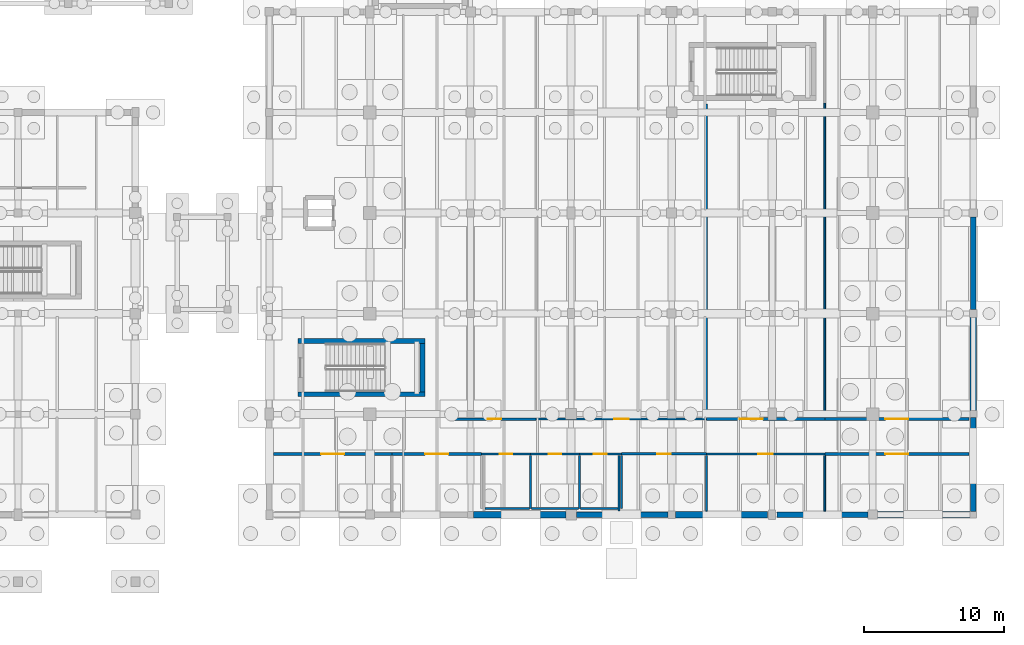
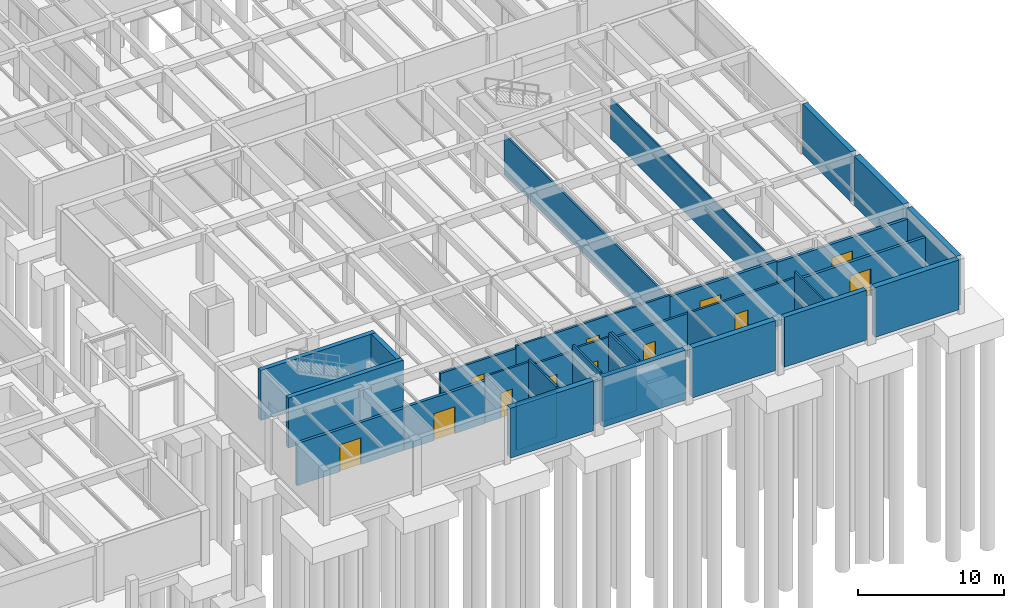
# One storey, part 47 of 63: 34 walls, 12 doors, 12 openings.
"""IFC4 building model written with IfcOpenShell, lengths in metres."""

import ifcopenshell
import ifcopenshell.guid

model = None  # the IFC model being written
_history = None  # IfcOwnerHistory: only IFC2X3 demands one
_inside = {}  # id of a spatial element -> (the spatial element, [elements in it])
_under = {}  # id of a project, library or spatial element -> (it, [spatial elements below it])
_declared = {}  # id of a project -> (the project, [libraries it declares])
_typed = {}  # id of a type object -> (the type object, [elements of that type])
_made_of = {}  # id of a material, layer set ... -> (it, [elements and type objects made of it])


def new_model(schema):
    """Start an empty IFC model of exactly this schema.

    Asked for "IFC4X3", IfcOpenShell would pick the latest addendum, in which some entities
    have other attributes; the version numbers below select the first issue.
    IFC2X3 requires an IfcOwnerHistory on every rooted entity: one is made here for all.
    """
    global model, _history
    if schema == "IFC4X3":
        model = ifcopenshell.file(schema_version=(4, 3, 0, 0))
    else:
        model = ifcopenshell.file(schema=schema)
    _inside.clear()
    _under.clear()
    _declared.clear()
    _typed.clear()
    _made_of.clear()
    _history = None
    if model.schema == "IFC2X3":
        org = make("IfcOrganization", Name="unknown")
        user = make(
            "IfcPersonAndOrganization",
            ThePerson=make("IfcPerson", FamilyName="unknown"),
            TheOrganization=org,
        )
        app = make(
            "IfcApplication",
            ApplicationDeveloper=org,
            Version="unknown",
            ApplicationFullName="unknown",
            ApplicationIdentifier="unknown",
        )
        _history = make(
            "IfcOwnerHistory",
            OwningUser=user,
            OwningApplication=app,
            ChangeAction="ADDED",
            CreationDate=0,
        )
    return model


def make(cls, **values):
    """One entity of the class cls with the attributes given. An attribute that is None is left unset."""
    return model.create_entity(
        cls, **{name: value for name, value in values.items() if value is not None}
    )


def rooted(cls, **values):
    """An entity with a GlobalId (a new one), such as an element, a storey or a relation."""
    return make(cls, GlobalId=ifcopenshell.guid.new(), OwnerHistory=_history, **values)


def si_unit(unit_type, name, prefix=None):
    """IfcSIUnit, for example si_unit("LENGTHUNIT", "METRE", prefix="MILLI")."""
    return make("IfcSIUnit", UnitType=unit_type, Prefix=prefix, Name=name)


def assignment(units):
    """IfcUnitAssignment: the units of a project."""
    return None if units is None else make("IfcUnitAssignment", Units=units)


def point(xyz):
    """IfcCartesianPoint."""
    return None if xyz is None else make("IfcCartesianPoint", Coordinates=xyz)


def direction(xyz):
    """IfcDirection."""
    return None if xyz is None else make("IfcDirection", DirectionRatios=xyz)


def frame(location, z_axis=None, x_axis=None):
    """IfcAxis2Placement3D, a coordinate frame: its origin and axes. An axis left out is left unset."""
    return make(
        "IfcAxis2Placement3D",
        Location=point(location),
        Axis=direction(z_axis),
        RefDirection=direction(x_axis),
    )


def frame_2d(location, x_axis=None):
    """IfcAxis2Placement2D, a coordinate frame in the plane: its origin and x axis."""
    return make(
        "IfcAxis2Placement2D", Location=point(location), RefDirection=direction(x_axis)
    )


def origin():
    """The frame at (0, 0, 0) with its axes left unset."""
    return frame((0.0, 0.0, 0.0))


def place(relative_to, where):
    """IfcLocalPlacement: puts the frame where relative to a parent placement (None: the world)."""
    return make(
        "IfcLocalPlacement", PlacementRelTo=relative_to, RelativePlacement=where
    )


def context(
    kind, dimensions, precision=None, world=None, true_north=None, identifier=None
):
    """IfcGeometricRepresentationContext, for example the 3D "Model" context."""
    return make(
        "IfcGeometricRepresentationContext",
        ContextIdentifier=identifier,
        ContextType=kind,
        CoordinateSpaceDimension=dimensions,
        Precision=precision,
        WorldCoordinateSystem=world,
        TrueNorth=true_north,
    )


def subcontext(parent, identifier, kind, view, scale=None):
    """IfcGeometricRepresentationSubContext, for example "Body" below "Model"."""
    return make(
        "IfcGeometricRepresentationSubContext",
        ContextIdentifier=identifier,
        ContextType=kind,
        ParentContext=parent,
        TargetScale=scale,
        TargetView=view,
    )


def project(units=None, contexts=None):
    """IfcProject with its units and contexts."""
    return rooted(
        "IfcProject",
        Name="project",
        RepresentationContexts=contexts,
        UnitsInContext=assignment(units),
    )


def spatial(cls, under=None, at=None, **own):
    """A site, building, storey or space (cls), placed at a placement, below another one or the project."""
    s = rooted(cls, ObjectPlacement=at, **own)
    if under is not None:
        _under.setdefault(under.id(), (under, []))[1].append(s)
    return s


def profile(cls, at=None, kind="AREA", **sizes):
    """A parametric profile (cls). Its sizes go by their IFC names, for example OverallWidth=200.0."""
    return make(cls, ProfileType=kind, Position=at, **sizes)


def rectangle(**sizes):
    """IfcRectangleProfileDef."""
    return profile("IfcRectangleProfileDef", **sizes)


def extrude(swept, where, along, depth):
    """IfcExtrudedAreaSolid: the profile swept, set in the frame where, extruded along a direction by depth."""
    return make(
        "IfcExtrudedAreaSolid",
        SweptArea=swept,
        Position=where,
        ExtrudedDirection=direction(along),
        Depth=depth,
    )


def shape(context_of_items, identifier, shape_type, items):
    """IfcShapeRepresentation: the items that make up one representation, for example the "Body"."""
    return make(
        "IfcShapeRepresentation",
        ContextOfItems=context_of_items,
        RepresentationIdentifier=identifier,
        RepresentationType=shape_type,
        Items=items,
    )


def material(Name=None, Category=None):
    """IfcMaterial."""
    return make("IfcMaterial", Name=Name, Category=Category)


def layer(
    of_material, thickness, ventilated=None, Name=None, Category=None, Priority=None
):
    """IfcMaterialLayer: one layer of a wall or slab, of a material (None: an air gap)."""
    return make(
        "IfcMaterialLayer",
        Material=of_material,
        LayerThickness=thickness,
        IsVentilated=ventilated,
        Name=Name,
        Category=Category,
        Priority=Priority,
    )


def layer_set(layers, Name=None):
    """IfcMaterialLayerSet."""
    return make("IfcMaterialLayerSet", MaterialLayers=layers, LayerSetName=Name)


def made_of(thing, what):
    """Note that an element or type object is made of a material, layer set ...; save() writes the relation."""
    if what is not None:
        _made_of.setdefault(what.id(), (what, []))[1].append(thing)
    return thing


def type_object(cls, material=None, **own):
    """A type object (cls), such as IfcWallType, which elements share."""
    return made_of(rooted(cls, **own), material)


def element(
    cls,
    number,
    at=None,
    inside=None,
    cuts=None,
    type_object=None,
    material=None,
    context=None,
    identifier="Body",
    shape_type=None,
    held_by="IfcProductDefinitionShape",
    body=None,
    shapes=None,
    **own,
):
    """One element of the class cls, such as IfcWall. Its Tag is "e" and its number.

    at: its placement. inside: the storey or other place that contains it. cuts: it is an
    opening in that element (IfcRelVoidsElement). A single representation is given by context,
    identifier, shape_type and body (its items); several are given by shapes. held_by: the class
    of the entity that holds the representations. save() writes the other relations.
    """
    e = rooted(cls, Tag="e%d" % number, ObjectPlacement=at, **own)
    if body is not None:
        shapes = [shape(context, identifier, shape_type, body)]
    if shapes is not None:
        e.Representation = make(held_by, Representations=shapes)
    if inside is not None:
        _inside.setdefault(inside.id(), (inside, []))[1].append(e)
    if cuts is not None:
        rooted(
            "IfcRelVoidsElement", RelatingBuildingElement=cuts, RelatedOpeningElement=e
        )
    if type_object is not None:
        _typed.setdefault(type_object.id(), (type_object, []))[1].append(e)
    return made_of(e, material)


def fill(opening, filler):
    """IfcRelFillsElement: the door or window that sits in an opening."""
    return rooted(
        "IfcRelFillsElement",
        RelatingOpeningElement=opening,
        RelatedBuildingElement=filler,
    )


def aggregate(whole, parts):
    """IfcRelAggregates: a whole, such as a stair, and the parts it consists of."""
    return rooted("IfcRelAggregates", RelatingObject=whole, RelatedObjects=parts)


def save(model, path):
    """Write the relations noted so far, then the file.

    IfcRelAggregates (storeys below a building ...), IfcRelContainedInSpatialStructure (elements
    in a storey), IfcRelDefinesByType, IfcRelAssociatesMaterial and IfcRelDeclares: one each for
    every whole, place, type object, material and project.
    """
    for whole, parts in _under.values():
        aggregate(whole, parts)
    for where, things in _inside.values():
        rooted(
            "IfcRelContainedInSpatialStructure",
            RelatedElements=things,
            RelatingStructure=where,
        )
    for kind, things in _typed.values():
        rooted("IfcRelDefinesByType", RelatedObjects=things, RelatingType=kind)
    for what, things in _made_of.values():
        rooted("IfcRelAssociatesMaterial", RelatedObjects=things, RelatingMaterial=what)
    for by, libraries in _declared.values():
        rooted("IfcRelDeclares", RelatingContext=by, RelatedDefinitions=libraries)
    model.write(path)


model = new_model("IFC4")

# Units and contexts
model_context = context("Model", 3, precision=1e-05, world=origin(), true_north=direction((0.0, 1.0)))
body_context = subcontext(model_context, "Body", "Model", "MODEL_VIEW")
ifc_project = project(units=[si_unit("LENGTHUNIT", "METRE"), si_unit("AREAUNIT", "SQUARE_METRE"), si_unit("VOLUMEUNIT", "CUBIC_METRE"), si_unit("PLANEANGLEUNIT", "RADIAN"), si_unit("MASSUNIT", "GRAM", prefix="KILO")], contexts=[model_context])

# Site, building, storey
site_placement = place(None, origin())
site = spatial("IfcSite", under=ifc_project, at=site_placement, CompositionType="ELEMENT")
building_placement = place(site_placement, origin())
building = spatial("IfcBuilding", under=site, at=building_placement, Name="Mazaris Harbour Polytechnic", CompositionType="ELEMENT")
storey_placement = place(building_placement, frame((0.0, 0.0, -4.5)))
storey = spatial("IfcBuildingStorey", under=building, at=storey_placement, Name="B1", CompositionType="ELEMENT", Elevation=-4.5)

# Walls
ifc_material_1 = material(Name="Gypsum Board and Mineral Wool")
ifc_layer_1 = layer(ifc_material_1, 0.1201171875, Name="Gypsum Board and Mineral Wool")
ifc_layer_set_1 = layer_set([ifc_layer_1], Name="Gypsum Board and Mineral Wool")
wall_type_1 = type_object("IfcWallType", Name="Acoustic Stud Partition 120", PredefinedType="PARTITIONING", material=ifc_layer_set_1)
wall_1_placement = place(storey_placement, frame((153.697998046875, 7.449951171875, 0.0), z_axis=(0.0, 0.0, 1.0), x_axis=(0.0, 1.0, 0.0)))
element("IfcWall", 1, at=wall_1_placement, inside=storey, type_object=wall_type_1, Name="V2 B1 Partition 84", PredefinedType="PARTITIONING", context=body_context, shape_type="SweptSolid", body=[
    extrude(rectangle(XDim=3.97998046875, YDim=0.1201171875, at=frame_2d((1.989990234375, 0.0))), origin(), (0.0, 0.0, 1.0), 3.93994140625),
])
wall_2_placement = place(storey_placement, frame((162.1669921875, 14.172607421875, 0.0), z_axis=(0.0, 0.0, 1.0), x_axis=(0.0, 1.0, 0.0)))
element("IfcWall", 2, at=wall_2_placement, inside=storey, type_object=wall_type_1, Name="V2 B1 Partition 93", PredefinedType="PARTITIONING", context=body_context, shape_type="SweptSolid", body=[
    extrude(rectangle(XDim=22.50732421875, YDim=0.1201171875, at=frame_2d((11.253662109375, 0.0))), origin(), (0.0, 0.0, 1.0), 3.3798828125),
])
ifc_material_2 = material(Name="Double Gypsum and Mineral Wool")
ifc_layer_2 = layer(ifc_material_2, 0.14990234375, Name="Double Gypsum and Mineral Wool")
ifc_layer_set_2 = layer_set([ifc_layer_2], Name="Double Gypsum and Mineral Wool")
wall_type_2 = type_object("IfcWallType", Name="Classroom Acoustic Partition 150", PredefinedType="PARTITIONING", material=ifc_layer_set_2)
wall_3_placement = place(storey_placement, frame((147.43994140625, 7.449951171875, 0.0), z_axis=(0.0, 0.0, 1.0), x_axis=(0.0, 1.0, 0.0)))
element("IfcWall", 3, at=wall_3_placement, inside=storey, type_object=wall_type_2, Name="V2 B1 Partition 83", PredefinedType="PARTITIONING", context=body_context, shape_type="SweptSolid", body=[
    extrude(rectangle(XDim=3.97998046875, YDim=0.14990234375, at=frame_2d((1.989990234375, 0.0))), origin(), (0.0, 0.0, 1.0), 4.179931640625),
])
wall_4_placement = place(storey_placement, frame((153.697998046875, 14.169921875, 0.0), z_axis=(0.0, 0.0, 1.0), x_axis=(0.0, 1.0, 0.0)))
element("IfcWall", 4, at=wall_4_placement, inside=storey, type_object=wall_type_2, Name="V2 B1 Partition 91", PredefinedType="PARTITIONING", context=body_context, shape_type="SweptSolid", body=[
    extrude(rectangle(XDim=22.425048828125, YDim=0.14990234375, at=frame_2d((11.21240234375, 0.0))), origin(), (0.0, 0.0, 1.0), 3.3798828125),
])

# Wall, opening, door
ifc_material_3 = material(Name="Terracotta Block and Plaster", Category="masonry")
ifc_layer_3 = layer(ifc_material_3, 0.179931640625, Name="Terracotta Block and Plaster")
ifc_layer_set_3 = layer_set([ifc_layer_3], Name="Terracotta Block and Plaster")
wall_type_3 = type_object("IfcWallType", Name="Corridor Fire Partition 180", PredefinedType="PARTITIONING", material=ifc_layer_set_3)
wall_5_placement = place(storey_placement, frame((147.60498046875, 11.550048828125, 0.0), z_axis=(0.0, 0.0, 1.0), x_axis=(1.0, 0.0, 0.0)))
wall_5 = element("IfcWall", 5, at=wall_5_placement, inside=storey, type_object=wall_type_3, Name="V2 B1 Partition 82", PredefinedType="PARTITIONING", context=body_context, shape_type="SweptSolid", body=[
    extrude(rectangle(XDim=6.093017578125, YDim=0.179931640625, at=frame_2d((3.04638671875, 0.0))), origin(), (0.0, 0.0, 1.0), 3.580078125),
])
opening_1_placement = place(wall_5_placement, frame((2.56640625, 0.0, 0.0)))
opening_1 = element("IfcOpeningElement", 6, at=opening_1_placement, cuts=wall_5, Name="Opening ID-01R", PredefinedType="OPENING", context=body_context, shape_type="SweptSolid", body=[
    extrude(rectangle(XDim=0.9599609375, YDim=2.14990234375, at=frame_2d((0.47998046875, 1.074951171875))), frame((0.0, 0.099853515625, 0.0), z_axis=(0.0, -1.0, 0.0), x_axis=(1.0, 0.0, 0.0)), (0.0, 0.0, 1.0), 0.199951171875),
])
ifc_material_4 = material(Name="Solid Oak Timber", Category="wood")
door_type_1 = type_object("IfcDoorType", Name="Classroom Single Door RH 960x2150", OperationType="SINGLE_SWING_RIGHT", PredefinedType="DOOR", material=ifc_material_4)
door_1_placement = place(opening_1_placement, origin())
door_1 = element("IfcDoor", 7, at=door_1_placement, inside=storey, type_object=door_type_1, Name="ID-0037", OperationType="SINGLE_SWING_RIGHT", OverallHeight=2.14990234375, OverallWidth=0.9599609375, PredefinedType="DOOR", context=body_context, shape_type="SweptSolid", body=[
    extrude(rectangle(XDim=0.9599609375, YDim=2.14990234375, at=frame_2d((0.47998046875, 1.074951171875))), frame((0.0, 0.02490234375, 0.0), z_axis=(0.0, -1.0, 0.0), x_axis=(1.0, 0.0, 0.0)), (0.0, 0.0, 1.0), 0.050048828125),
])
fill(opening_1, door_1)

wall_6_placement = place(storey_placement, frame((135.52001953125, 14.050048828125, 0.0), z_axis=(0.0, 0.0, 1.0), x_axis=(1.0, 0.0, 0.0)))
wall_6 = element("IfcWall", 8, at=wall_6_placement, inside=storey, type_object=wall_type_3, Name="V2 B1 Partition 88", PredefinedType="PARTITIONING", context=body_context, shape_type="SweptSolid", body=[
    extrude(rectangle(XDim=5.98193359375, YDim=0.179931640625, at=frame_2d((2.990966796875, 0.0))), origin(), (0.0, 0.0, 1.0), 3.3798828125),
])
opening_2_placement = place(wall_6_placement, frame((2.510986328125, 0.0, 0.0)))
opening_2 = element("IfcOpeningElement", 9, at=opening_2_placement, cuts=wall_6, Name="Opening ID-01R", PredefinedType="OPENING", context=body_context, shape_type="SweptSolid", body=[
    extrude(rectangle(XDim=0.9599609375, YDim=2.14990234375, at=frame_2d((0.47998046875, 1.074951171875))), frame((0.0, 0.099853515625, 0.0), z_axis=(0.0, -1.0, 0.0), x_axis=(1.0, 0.0, 0.0)), (0.0, 0.0, 1.0), 0.199951171875),
])
door_2_placement = place(opening_2_placement, origin())
door_2 = element("IfcDoor", 10, at=door_2_placement, inside=storey, type_object=door_type_1, Name="ID-0040", OperationType="SINGLE_SWING_RIGHT", OverallHeight=2.14990234375, OverallWidth=0.9599609375, PredefinedType="DOOR", context=body_context, shape_type="SweptSolid", body=[
    extrude(rectangle(XDim=0.9599609375, YDim=2.14990234375, at=frame_2d((0.47998046875, 1.074951171875))), frame((0.0, 0.02490234375, 0.0), z_axis=(0.0, -1.0, 0.0), x_axis=(1.0, 0.0, 0.0)), (0.0, 0.0, 1.0), 0.050048828125),
])
fill(opening_2, door_2)

ifc_material_5 = material(Name="Fireboard and Mineral Wool")
ifc_layer_4 = layer(ifc_material_5, 0.1650390625, Name="Fireboard and Mineral Wool")
ifc_layer_set_4 = layer_set([ifc_layer_4], Name="Fireboard and Mineral Wool")
wall_type_4 = type_object("IfcWallType", Name="Laboratory Rated Partition 165", PredefinedType="PARTITIONING", material=ifc_layer_set_4)
wall_7_placement = place(storey_placement, frame((153.702880859375, 11.550048828125, 0.0), z_axis=(0.0, 0.0, 1.0), x_axis=(1.0, 0.0, 0.0)))
wall_7 = element("IfcWall", 11, at=wall_7_placement, inside=storey, type_object=wall_type_4, Name="V2 B1 Partition 85", PredefinedType="PARTITIONING", context=body_context, shape_type="SweptSolid", body=[
    extrude(rectangle(XDim=8.464111328125, YDim=0.1650390625, at=frame_2d((4.23193359375, 0.0))), origin(), (0.0, 0.0, 1.0), 3.580078125),
])
opening_3_placement = place(wall_7_placement, frame((3.70703125, 0.0, 0.0)))
opening_3 = element("IfcOpeningElement", 12, at=opening_3_placement, cuts=wall_7, Name="Opening ID-02L", PredefinedType="OPENING", context=body_context, shape_type="SweptSolid", body=[
    extrude(rectangle(XDim=1.050048828125, YDim=2.199951171875, at=frame_2d((0.52490234375, 1.10009765625))), frame((0.0, 0.092529296875, 0.0), z_axis=(0.0, -1.0, 0.0), x_axis=(1.0, 0.0, 0.0)), (0.0, 0.0, 1.0), 0.18505859375),
])
ifc_material_6 = material(Name="Solid Timber and Vision Panel", Category="wood")
door_type_2 = type_object("IfcDoorType", Name="Laboratory Fire Door LH 1050x2200", OperationType="SINGLE_SWING_LEFT", PredefinedType="DOOR", material=ifc_material_6)
door_3_placement = place(opening_3_placement, origin())
door_3 = element("IfcDoor", 13, at=door_3_placement, inside=storey, type_object=door_type_2, Name="ID-0038", OperationType="SINGLE_SWING_LEFT", OverallHeight=2.199951171875, OverallWidth=1.050048828125, PredefinedType="DOOR", context=body_context, shape_type="SweptSolid", body=[
    extrude(rectangle(XDim=1.050048828125, YDim=2.199951171875, at=frame_2d((0.52490234375, 1.10009765625))), frame((0.0, 0.02490234375, 0.0), z_axis=(0.0, -1.0, 0.0), x_axis=(1.0, 0.0, 0.0)), (0.0, 0.0, 1.0), 0.050048828125),
])
fill(opening_3, door_3)

wall_8_placement = place(storey_placement, frame((141.507080078125, 14.050048828125, 0.0), z_axis=(0.0, 0.0, 1.0), x_axis=(1.0, 0.0, 0.0)))
wall_8 = element("IfcWall", 14, at=wall_8_placement, inside=storey, type_object=wall_type_4, Name="V2 B1 Partition 90", PredefinedType="PARTITIONING", context=body_context, shape_type="SweptSolid", body=[
    extrude(rectangle(XDim=12.19091796875, YDim=0.1650390625, at=frame_2d((6.095458984375, 0.0))), origin(), (0.0, 0.0, 1.0), 3.580078125),
])
opening_4_placement = place(wall_8_placement, frame((5.570556640625, 0.0, 0.0)))
opening_4 = element("IfcOpeningElement", 15, at=opening_4_placement, cuts=wall_8, Name="Opening ID-02L", PredefinedType="OPENING", context=body_context, shape_type="SweptSolid", body=[
    extrude(rectangle(XDim=1.050048828125, YDim=2.199951171875, at=frame_2d((0.52490234375, 1.10009765625))), frame((0.0, 0.092529296875, 0.0), z_axis=(0.0, -1.0, 0.0), x_axis=(1.0, 0.0, 0.0)), (0.0, 0.0, 1.0), 0.18505859375),
])
door_4_placement = place(opening_4_placement, origin())
door_4 = element("IfcDoor", 16, at=door_4_placement, inside=storey, type_object=door_type_2, Name="ID-0041", OperationType="SINGLE_SWING_LEFT", OverallHeight=2.199951171875, OverallWidth=1.050048828125, PredefinedType="DOOR", context=body_context, shape_type="SweptSolid", body=[
    extrude(rectangle(XDim=1.050048828125, YDim=2.199951171875, at=frame_2d((0.52490234375, 1.10009765625))), frame((0.0, 0.02490234375, 0.0), z_axis=(0.0, -1.0, 0.0), x_axis=(1.0, 0.0, 0.0)), (0.0, 0.0, 1.0), 0.050048828125),
])
fill(opening_4, door_4)

ifc_material_7 = material(Name="Concrete Masonry C30/37", Category="masonry")
ifc_layer_5 = layer(ifc_material_7, 0.22509765625, Name="Concrete Masonry C30/37")
ifc_layer_set_5 = layer_set([ifc_layer_5], Name="Concrete Masonry C30/37")
wall_type_5 = type_object("IfcWallType", Name="Plant Room Fire Wall 225", PredefinedType="STANDARD", material=ifc_layer_set_5)
wall_9_placement = place(storey_placement, frame((122.699951171875, 11.550048828125, 0.0), z_axis=(0.0, 0.0, 1.0), x_axis=(1.0, 0.0, 0.0)))
wall_9 = element("IfcWall", 17, at=wall_9_placement, inside=storey, type_object=wall_type_5, Name="V2 B1 Partition 78", PredefinedType="STANDARD", context=body_context, shape_type="SweptSolid", body=[
    extrude(rectangle(XDim=8.468994140625, YDim=0.22509765625, at=frame_2d((4.234375, 0.0))), origin(), (0.0, 0.0, 1.0), 3.530029296875),
])
opening_5_placement = place(wall_9_placement, frame((3.409423828125, 0.0, 0.0)))
opening_5 = element("IfcOpeningElement", 18, at=opening_5_placement, cuts=wall_9, Name="Opening ID-06D", PredefinedType="OPENING", context=body_context, shape_type="SweptSolid", body=[
    extrude(rectangle(XDim=1.64990234375, YDim=2.25, at=frame_2d((0.824951171875, 1.125))), frame((0.0, 0.12255859375, 0.0), z_axis=(0.0, -1.0, 0.0), x_axis=(1.0, 0.0, 0.0)), (0.0, 0.0, 1.0), 0.2451171875),
])
ifc_material_8 = material(Name="Galvanised Steel S355", Category="steel")
door_type_3 = type_object("IfcDoorType", Name="Plant and Substation Double Door 1650x2250", OperationType="DOUBLE_DOOR_SINGLE_SWING", PredefinedType="DOOR", material=ifc_material_8)
door_5_placement = place(opening_5_placement, origin())
door_5 = element("IfcDoor", 19, at=door_5_placement, inside=storey, type_object=door_type_3, Name="ID-0035", OperationType="DOUBLE_DOOR_SINGLE_SWING", OverallHeight=2.25, OverallWidth=1.64990234375, PredefinedType="DOOR", context=body_context, shape_type="SweptSolid", body=[
    extrude(rectangle(XDim=1.64990234375, YDim=2.25, at=frame_2d((0.824951171875, 1.125))), frame((0.0, 0.02490234375, 0.0), z_axis=(0.0, -1.0, 0.0), x_axis=(1.0, 0.0, 0.0)), (0.0, 0.0, 1.0), 0.050048828125),
])
fill(opening_5, door_5)

wall_10_placement = place(storey_placement, frame((131.174072265625, 11.550048828125, 0.0), z_axis=(0.0, 0.0, 1.0), x_axis=(1.0, 0.0, 0.0)))
wall_10 = element("IfcWall", 20, at=wall_10_placement, inside=storey, type_object=wall_type_5, Name="V2 B1 Partition 80", PredefinedType="STANDARD", context=body_context, shape_type="SweptSolid", body=[
    extrude(rectangle(XDim=6.4208984375, YDim=0.22509765625, at=frame_2d((3.21044921875, 0.0))), origin(), (0.0, 0.0, 1.0), 3.580078125),
])
opening_6_placement = place(wall_10_placement, frame((2.385498046875, 0.0, 0.0)))
opening_6 = element("IfcOpeningElement", 21, at=opening_6_placement, cuts=wall_10, Name="Opening ID-06D", PredefinedType="OPENING", context=body_context, shape_type="SweptSolid", body=[
    extrude(rectangle(XDim=1.64990234375, YDim=2.25, at=frame_2d((0.824951171875, 1.125))), frame((0.0, 0.12255859375, 0.0), z_axis=(0.0, -1.0, 0.0), x_axis=(1.0, 0.0, 0.0)), (0.0, 0.0, 1.0), 0.2451171875),
])
door_6_placement = place(opening_6_placement, origin())
door_6 = element("IfcDoor", 22, at=door_6_placement, inside=storey, type_object=door_type_3, Name="ID-0036", OperationType="DOUBLE_DOOR_SINGLE_SWING", OverallHeight=2.25, OverallWidth=1.64990234375, PredefinedType="DOOR", context=body_context, shape_type="SweptSolid", body=[
    extrude(rectangle(XDim=1.64990234375, YDim=2.25, at=frame_2d((0.824951171875, 1.125))), frame((0.0, 0.02490234375, 0.0), z_axis=(0.0, -1.0, 0.0), x_axis=(1.0, 0.0, 0.0)), (0.0, 0.0, 1.0), 0.050048828125),
])
fill(opening_6, door_6)

wall_11_placement = place(storey_placement, frame((162.172119140625, 11.550048828125, 0.0), z_axis=(0.0, 0.0, 1.0), x_axis=(1.0, 0.0, 0.0)))
wall_11 = element("IfcWall", 23, at=wall_11_placement, inside=storey, type_object=wall_type_5, Name="V2 B1 Partition 87", PredefinedType="STANDARD", context=body_context, shape_type="SweptSolid", body=[
    extrude(rectangle(XDim=10.327880859375, YDim=0.22509765625, at=frame_2d((5.1640625, 0.0))), origin(), (0.0, 0.0, 1.0), 3.3798828125),
])
opening_7_placement = place(wall_11_placement, frame((4.339111328125, 0.0, 0.0)))
opening_7 = element("IfcOpeningElement", 24, at=opening_7_placement, cuts=wall_11, Name="Opening ID-06D", PredefinedType="OPENING", context=body_context, shape_type="SweptSolid", body=[
    extrude(rectangle(XDim=1.64990234375, YDim=2.25, at=frame_2d((0.824951171875, 1.125))), frame((0.0, 0.12255859375, 0.0), z_axis=(0.0, -1.0, 0.0), x_axis=(1.0, 0.0, 0.0)), (0.0, 0.0, 1.0), 0.2451171875),
])
door_7_placement = place(opening_7_placement, origin())
door_7 = element("IfcDoor", 25, at=door_7_placement, inside=storey, type_object=door_type_3, Name="ID-0039", OperationType="DOUBLE_DOOR_SINGLE_SWING", OverallHeight=2.25, OverallWidth=1.64990234375, PredefinedType="DOOR", context=body_context, shape_type="SweptSolid", body=[
    extrude(rectangle(XDim=1.64990234375, YDim=2.25, at=frame_2d((0.824951171875, 1.125))), frame((0.0, 0.02490234375, 0.0), z_axis=(0.0, -1.0, 0.0), x_axis=(1.0, 0.0, 0.0)), (0.0, 0.0, 1.0), 0.050048828125),
])
fill(opening_7, door_7)

wall_12_placement = place(storey_placement, frame((153.702880859375, 14.050048828125, 0.0), z_axis=(0.0, 0.0, 1.0), x_axis=(1.0, 0.0, 0.0)))
wall_12 = element("IfcWall", 26, at=wall_12_placement, inside=storey, type_object=wall_type_5, Name="V2 B1 Partition 92", PredefinedType="STANDARD", context=body_context, shape_type="SweptSolid", body=[
    extrude(rectangle(XDim=8.464111328125, YDim=0.22509765625, at=frame_2d((4.23193359375, 0.0))), origin(), (0.0, 0.0, 1.0), 3.47998046875),
])
opening_8_placement = place(wall_12_placement, frame((2.385009765625, 0.0, 0.0)))
opening_8 = element("IfcOpeningElement", 27, at=opening_8_placement, cuts=wall_12, Name="Opening ID-06D", PredefinedType="OPENING", context=body_context, shape_type="SweptSolid", body=[
    extrude(rectangle(XDim=1.64990234375, YDim=2.25, at=frame_2d((0.824951171875, 1.125))), frame((0.0, 0.12255859375, 0.0), z_axis=(0.0, -1.0, 0.0), x_axis=(1.0, 0.0, 0.0)), (0.0, 0.0, 1.0), 0.2451171875),
])
door_8_placement = place(opening_8_placement, origin())
door_8 = element("IfcDoor", 28, at=door_8_placement, inside=storey, type_object=door_type_3, Name="ID-0042", OperationType="DOUBLE_DOOR_SINGLE_SWING", OverallHeight=2.25, OverallWidth=1.64990234375, PredefinedType="DOOR", context=body_context, shape_type="SweptSolid", body=[
    extrude(rectangle(XDim=1.64990234375, YDim=2.25, at=frame_2d((0.824951171875, 1.125))), frame((0.0, 0.02490234375, 0.0), z_axis=(0.0, -1.0, 0.0), x_axis=(1.0, 0.0, 0.0)), (0.0, 0.0, 1.0), 0.050048828125),
])
fill(opening_8, door_8)

wall_13_placement = place(storey_placement, frame((162.172119140625, 14.050048828125, 0.0), z_axis=(0.0, 0.0, 1.0), x_axis=(1.0, 0.0, 0.0)))
wall_13 = element("IfcWall", 29, at=wall_13_placement, inside=storey, type_object=wall_type_5, Name="V2 B1 Partition 94", PredefinedType="STANDARD", context=body_context, shape_type="SweptSolid", body=[
    extrude(rectangle(XDim=10.327880859375, YDim=0.22509765625, at=frame_2d((5.1640625, 0.0))), origin(), (0.0, 0.0, 1.0), 3.3798828125),
])
opening_9_placement = place(wall_13_placement, frame((4.339111328125, 0.0, 0.0)))
opening_9 = element("IfcOpeningElement", 30, at=opening_9_placement, cuts=wall_13, Name="Opening ID-06D", PredefinedType="OPENING", context=body_context, shape_type="SweptSolid", body=[
    extrude(rectangle(XDim=1.64990234375, YDim=2.25, at=frame_2d((0.824951171875, 1.125))), frame((0.0, 0.12255859375, 0.0), z_axis=(0.0, -1.0, 0.0), x_axis=(1.0, 0.0, 0.0)), (0.0, 0.0, 1.0), 0.2451171875),
])
door_9_placement = place(opening_9_placement, origin())
door_9 = element("IfcDoor", 31, at=door_9_placement, inside=storey, type_object=door_type_3, Name="ID-0043", OperationType="DOUBLE_DOOR_SINGLE_SWING", OverallHeight=2.25, OverallWidth=1.64990234375, PredefinedType="DOOR", context=body_context, shape_type="SweptSolid", body=[
    extrude(rectangle(XDim=1.64990234375, YDim=2.25, at=frame_2d((0.824951171875, 1.125))), frame((0.0, 0.02490234375, 0.0), z_axis=(0.0, -1.0, 0.0), x_axis=(1.0, 0.0, 0.0)), (0.0, 0.0, 1.0), 0.050048828125),
])
fill(opening_9, door_9)

# Walls
ifc_material_9 = material(Name="Concrete C35/45", Category="concrete")
ifc_layer_6 = layer(ifc_material_9, 0.39990234375, Name="Concrete C35/45")
ifc_layer_set_6 = layer_set([ifc_layer_6], Name="Concrete C35/45")
wall_type_6 = type_object("IfcWallType", Name="RC Basement Retaining Wall 400", PredefinedType="USERDEFINED", material=ifc_layer_set_6)
wall_14_placement = place(storey_placement, frame((144.375, 7.199951171875, 0.0), z_axis=(0.0, 0.0, 1.0), x_axis=(1.0, 0.0, 0.0)))
element("IfcWall", 32, at=wall_14_placement, inside=storey, type_object=wall_type_6, Name="V2 B1 Retaining Wall 30", ObjectType="RETAINING WALL", PredefinedType="USERDEFINED", context=body_context, shape_type="SweptSolid", body=[
    extrude(rectangle(XDim=6.550048828125, YDim=0.39990234375, at=frame_2d((3.27490234375, 0.0))), origin(), (0.0, 0.0, 1.0), 4.179931640625),
])
wall_15_placement = place(storey_placement, frame((158.75, 7.199951171875, 0.0), z_axis=(0.0, 0.0, 1.0), x_axis=(1.0, 0.0, 0.0)))
element("IfcWall", 33, at=wall_15_placement, inside=storey, type_object=wall_type_6, Name="V2 B1 Retaining Wall 32", ObjectType="RETAINING WALL", PredefinedType="USERDEFINED", context=body_context, shape_type="SweptSolid", body=[
    extrude(rectangle(XDim=6.52490234375, YDim=0.39990234375, at=frame_2d((3.262451171875, 0.0))), origin(), (0.0, 0.0, 1.0), 4.179931640625),
])
wall_16_placement = place(storey_placement, frame((172.800048828125, 7.425048828125, 0.0), z_axis=(0.0, 0.0, 1.0), x_axis=(0.0, 1.0, 0.0)))
element("IfcWall", 34, at=wall_16_placement, inside=storey, type_object=wall_type_6, Name="V2 B1 Retaining Wall 44", ObjectType="RETAINING WALL", PredefinedType="USERDEFINED", context=body_context, shape_type="SweptSolid", body=[
    extrude(rectangle(XDim=6.724853515625, YDim=0.39990234375, at=frame_2d((3.3623046875, 0.0))), origin(), (0.0, 0.0, 1.0), 4.179931640625),
])
wall_17_placement = place(storey_placement, frame((172.800048828125, 21.875, 0.0), z_axis=(0.0, 0.0, 1.0), x_axis=(0.0, 1.0, 0.0)))
element("IfcWall", 35, at=wall_17_placement, inside=storey, type_object=wall_type_6, Name="V2 B1 Retaining Wall 46", ObjectType="RETAINING WALL", PredefinedType="USERDEFINED", context=body_context, shape_type="SweptSolid", body=[
    extrude(rectangle(XDim=6.625, YDim=0.39990234375, at=frame_2d((3.3125, 0.0))), origin(), (0.0, 0.0, 1.0), 4.179931640625),
])
ifc_material_10 = material(Name="Concrete C35/45", Category="concrete")
ifc_layer_7 = layer(ifc_material_10, 0.449951171875, Name="Concrete C35/45")
ifc_layer_set_7 = layer_set([ifc_layer_7], Name="Concrete C35/45")
wall_type_7 = type_object("IfcWallType", Name="RC Basement Retaining Wall 450", PredefinedType="USERDEFINED", material=ifc_layer_set_7)
wall_18_placement = place(storey_placement, frame((137.02490234375, 7.199951171875, 0.0), z_axis=(0.0, 0.0, 1.0), x_axis=(1.0, 0.0, 0.0)))
element("IfcWall", 36, at=wall_18_placement, inside=storey, type_object=wall_type_7, Name="V2 B1 Retaining Wall 29", ObjectType="RETAINING WALL", PredefinedType="USERDEFINED", context=body_context, shape_type="SweptSolid", body=[
    extrude(rectangle(XDim=6.60009765625, YDim=0.449951171875, at=frame_2d((3.300048828125, 0.0))), origin(), (0.0, 0.0, 1.0), 4.179931640625),
])
wall_19_placement = place(storey_placement, frame((151.47509765625, 7.199951171875, 0.0), z_axis=(0.0, 0.0, 1.0), x_axis=(1.0, 0.0, 0.0)))
element("IfcWall", 37, at=wall_19_placement, inside=storey, type_object=wall_type_7, Name="V2 B1 Retaining Wall 31", ObjectType="RETAINING WALL", PredefinedType="USERDEFINED", context=body_context, shape_type="SweptSolid", body=[
    extrude(rectangle(XDim=6.574951171875, YDim=0.449951171875, at=frame_2d((3.28759765625, 0.0))), origin(), (0.0, 0.0, 1.0), 4.179931640625),
])
wall_20_placement = place(storey_placement, frame((165.925048828125, 7.199951171875, 0.0), z_axis=(0.0, 0.0, 1.0), x_axis=(1.0, 0.0, 0.0)))
element("IfcWall", 38, at=wall_20_placement, inside=storey, type_object=wall_type_7, Name="V2 B1 Retaining Wall 33", ObjectType="RETAINING WALL", PredefinedType="USERDEFINED", context=body_context, shape_type="SweptSolid", body=[
    extrude(rectangle(XDim=6.64990234375, YDim=0.449951171875, at=frame_2d((3.324951171875, 0.0))), origin(), (0.0, 0.0, 1.0), 4.179931640625),
])
wall_21_placement = place(storey_placement, frame((172.800048828125, 14.64990234375, 0.0), z_axis=(0.0, 0.0, 1.0), x_axis=(0.0, 1.0, 0.0)))
element("IfcWall", 39, at=wall_21_placement, inside=storey, type_object=wall_type_7, Name="V2 B1 Retaining Wall 45", ObjectType="RETAINING WALL", PredefinedType="USERDEFINED", context=body_context, shape_type="SweptSolid", body=[
    extrude(rectangle(XDim=6.675048828125, YDim=0.449951171875, at=frame_2d((3.33740234375, 0.0))), origin(), (0.0, 0.0, 1.0), 4.179931640625),
])
ifc_material_11 = material(Name="Concrete C40/50", Category="concrete")
ifc_layer_8 = layer(ifc_material_11, 0.35009765625, Name="Concrete C40/50")
ifc_layer_set_8 = layer_set([ifc_layer_8], Name="Concrete C40/50")
wall_type_8 = type_object("IfcWallType", Name="RC Core Shear Wall 350", PredefinedType="SHEAR", material=ifc_layer_set_8)
for number, where, z_axis, x_axis, name in (
    (40, (124.449951171875, 15.824951171875, 0.0), (0.0, 0.0, 1.0), (1.0, 0.0, 0.0), "Core ST03 B1 Shear Wall S"),
    (41, (133.550048828125, 19.625, 0.0), (0.0, 0.0, 1.0), (-1.0, 0.0, 0.0), "Core ST03 B1 Shear Wall N"),
):
    element("IfcWall", number, at=place(storey_placement, frame(where, z_axis=z_axis, x_axis=x_axis)), inside=storey, type_object=wall_type_8, Name=name, PredefinedType="SHEAR", context=body_context, shape_type="SweptSolid", body=[
        extrude(rectangle(XDim=9.10009765625, YDim=0.35009765625, at=frame_2d((4.550048828125, 0.0))), origin(), (0.0, 0.0, 1.0), 4.179931640625),
    ])
wall_22_placement = place(storey_placement, frame((133.375, 16.0, 0.0), z_axis=(0.0, 0.0, 1.0), x_axis=(0.0, 1.0, 0.0)))
element("IfcWall", 42, at=wall_22_placement, inside=storey, type_object=wall_type_8, Name="Core ST03 B1 Shear Wall E", PredefinedType="SHEAR", context=body_context, shape_type="SweptSolid", body=[
    extrude(rectangle(XDim=3.449951171875, YDim=0.35009765625, at=frame_2d((1.72509765625, 0.0))), origin(), (0.0, 0.0, 1.0), 4.179931640625),
])

# Wall, opening, door
ifc_material_12 = material(Name="Moisture-Resistant Gypsum and Steel Stud", Category="steel")
ifc_layer_9 = layer(ifc_material_12, 0.14501953125, Name="Moisture-Resistant Gypsum and Steel Stud")
ifc_layer_set_9 = layer_set([ifc_layer_9], Name="Moisture-Resistant Gypsum and Steel Stud")
wall_type_9 = type_object("IfcWallType", Name="Sanitary Plumbing Wall 145", PredefinedType="PLUMBINGWALL", material=ifc_layer_set_9)
wall_23_placement = place(storey_placement, frame((137.60009765625, 11.550048828125, 0.0), z_axis=(0.0, 0.0, 1.0), x_axis=(1.0, 0.0, 0.0)))
wall_23 = element("IfcWall", 43, at=wall_23_placement, inside=storey, type_object=wall_type_9, Name="V2 B1 Partition 71", PredefinedType="PLUMBINGWALL", context=body_context, shape_type="SweptSolid", body=[
    extrude(rectangle(XDim=3.5, YDim=0.14501953125, at=frame_2d((1.75, 0.0))), origin(), (0.0, 0.0, 1.0), 3.909912109375),
])
opening_10_placement = place(wall_23_placement, frame((1.300048828125, 0.0, 0.0)))
opening_10 = element("IfcOpeningElement", 44, at=opening_10_placement, cuts=wall_23, Name="Opening ID-07R", PredefinedType="OPENING", context=body_context, shape_type="SweptSolid", body=[
    extrude(rectangle(XDim=0.89990234375, YDim=2.10009765625, at=frame_2d((0.449951171875, 1.050048828125))), frame((0.0, 0.08251953125, 0.0), z_axis=(0.0, -1.0, 0.0), x_axis=(1.0, 0.0, 0.0)), (0.0, 0.0, 1.0), 0.1650390625),
])
ifc_material_13 = material(Name="Moisture-Resistant Laminate Timber", Category="wood")
door_type_4 = type_object("IfcDoorType", Name="Sanitary Room Door RH 900x2100", OperationType="SINGLE_SWING_RIGHT", PredefinedType="DOOR", material=ifc_material_13)
door_10_placement = place(opening_10_placement, origin())
door_10 = element("IfcDoor", 45, at=door_10_placement, inside=storey, type_object=door_type_4, Name="ID-0032", OperationType="SINGLE_SWING_RIGHT", OverallHeight=2.10009765625, OverallWidth=0.89990234375, PredefinedType="DOOR", context=body_context, shape_type="SweptSolid", body=[
    extrude(rectangle(XDim=0.89990234375, YDim=2.10009765625, at=frame_2d((0.449951171875, 1.050048828125))), frame((0.0, 0.02490234375, 0.0), z_axis=(0.0, -1.0, 0.0), x_axis=(1.0, 0.0, 0.0)), (0.0, 0.0, 1.0), 0.050048828125),
])
fill(opening_10, door_10)

# Wall
wall_24_placement = place(storey_placement, frame((141.10009765625, 7.64990234375, 0.0), z_axis=(0.0, 0.0, 1.0), x_axis=(0.0, 1.0, 0.0)))
element("IfcWall", 46, at=wall_24_placement, inside=storey, type_object=wall_type_9, Name="V2 B1 Partition 73", PredefinedType="PLUMBINGWALL", context=body_context, shape_type="SweptSolid", body=[
    extrude(rectangle(XDim=3.780029296875, YDim=0.14501953125, at=frame_2d((1.89013671875, 0.0))), origin(), (0.0, 0.0, 1.0), 4.179931640625),
])

# Wall, opening, door
wall_25_placement = place(storey_placement, frame((141.10498046875, 11.550048828125, 0.0), z_axis=(0.0, 0.0, 1.0), x_axis=(1.0, 0.0, 0.0)))
wall_25 = element("IfcWall", 47, at=wall_25_placement, inside=storey, type_object=wall_type_9, Name="V2 B1 Partition 74", PredefinedType="PLUMBINGWALL", context=body_context, shape_type="SweptSolid", body=[
    extrude(rectangle(XDim=3.4951171875, YDim=0.14501953125, at=frame_2d((1.74755859375, 0.0))), origin(), (0.0, 0.0, 1.0), 3.580078125),
])
opening_11_placement = place(wall_25_placement, frame((1.297607421875, 0.0, 0.0)))
opening_11 = element("IfcOpeningElement", 48, at=opening_11_placement, cuts=wall_25, Name="Opening ID-07R", PredefinedType="OPENING", context=body_context, shape_type="SweptSolid", body=[
    extrude(rectangle(XDim=0.89990234375, YDim=2.10009765625, at=frame_2d((0.449951171875, 1.050048828125))), frame((0.0, 0.08251953125, 0.0), z_axis=(0.0, -1.0, 0.0), x_axis=(1.0, 0.0, 0.0)), (0.0, 0.0, 1.0), 0.1650390625),
])
door_11_placement = place(opening_11_placement, origin())
door_11 = element("IfcDoor", 49, at=door_11_placement, inside=storey, type_object=door_type_4, Name="ID-0033", OperationType="SINGLE_SWING_RIGHT", OverallHeight=2.10009765625, OverallWidth=0.89990234375, PredefinedType="DOOR", context=body_context, shape_type="SweptSolid", body=[
    extrude(rectangle(XDim=0.89990234375, YDim=2.10009765625, at=frame_2d((0.449951171875, 1.050048828125))), frame((0.0, 0.02490234375, 0.0), z_axis=(0.0, -1.0, 0.0), x_axis=(1.0, 0.0, 0.0)), (0.0, 0.0, 1.0), 0.050048828125),
])
fill(opening_11, door_11)

# Wall
wall_26_placement = place(storey_placement, frame((144.60009765625, 7.64990234375, 0.0), z_axis=(0.0, 0.0, 1.0), x_axis=(0.0, 1.0, 0.0)))
element("IfcWall", 50, at=wall_26_placement, inside=storey, type_object=wall_type_9, Name="V2 B1 Partition 75", PredefinedType="PLUMBINGWALL", context=body_context, shape_type="SweptSolid", body=[
    extrude(rectangle(XDim=3.780029296875, YDim=0.14501953125, at=frame_2d((1.89013671875, 0.0))), origin(), (0.0, 0.0, 1.0), 4.179931640625),
])

# Wall, opening, door
wall_27_placement = place(storey_placement, frame((144.60498046875, 11.550048828125, 0.0), z_axis=(0.0, 0.0, 1.0), x_axis=(1.0, 0.0, 0.0)))
wall_27 = element("IfcWall", 51, at=wall_27_placement, inside=storey, type_object=wall_type_9, Name="V2 B1 Partition 76", PredefinedType="PLUMBINGWALL", context=body_context, shape_type="SweptSolid", body=[
    extrude(rectangle(XDim=2.9951171875, YDim=0.14501953125, at=frame_2d((1.49755859375, 0.0))), origin(), (0.0, 0.0, 1.0), 3.780029296875),
])
opening_12_placement = place(wall_27_placement, frame((1.03759765625, 0.0, 0.0)))
opening_12 = element("IfcOpeningElement", 52, at=opening_12_placement, cuts=wall_27, Name="Opening ID-07L", PredefinedType="OPENING", context=body_context, shape_type="SweptSolid", body=[
    extrude(rectangle(XDim=0.919921875, YDim=2.10009765625, at=frame_2d((0.4599609375, 1.050048828125))), frame((0.0, 0.08251953125, 0.0), z_axis=(0.0, -1.0, 0.0), x_axis=(1.0, 0.0, 0.0)), (0.0, 0.0, 1.0), 0.1650390625),
])
ifc_material_14 = material(Name="Moisture-Resistant Laminate Timber", Category="wood")
door_type_5 = type_object("IfcDoorType", Name="Accessible Toilet Door LH 920x2100", OperationType="SINGLE_SWING_LEFT", PredefinedType="DOOR", material=ifc_material_14)
door_12_placement = place(opening_12_placement, origin())
door_12 = element("IfcDoor", 53, at=door_12_placement, inside=storey, type_object=door_type_5, Name="ID-0034", OperationType="SINGLE_SWING_LEFT", OverallHeight=2.10009765625, OverallWidth=0.919921875, PredefinedType="DOOR", context=body_context, shape_type="SweptSolid", body=[
    extrude(rectangle(XDim=0.919921875, YDim=2.10009765625, at=frame_2d((0.4599609375, 1.050048828125))), frame((0.0, 0.02490234375, 0.0), z_axis=(0.0, -1.0, 0.0), x_axis=(1.0, 0.0, 0.0)), (0.0, 0.0, 1.0), 0.050048828125),
])
fill(opening_12, door_12)

# Walls
wall_28_placement = place(storey_placement, frame((147.60009765625, 7.64990234375, 0.0), z_axis=(0.0, 0.0, 1.0), x_axis=(0.0, 1.0, 0.0)))
element("IfcWall", 54, at=wall_28_placement, inside=storey, type_object=wall_type_9, Name="V2 B1 Partition 77", PredefinedType="PLUMBINGWALL", context=body_context, shape_type="SweptSolid", body=[
    extrude(rectangle(XDim=3.780029296875, YDim=0.14501953125, at=frame_2d((1.89013671875, 0.0))), origin(), (0.0, 0.0, 1.0), 4.179931640625),
])
wall_29_placement = place(storey_placement, frame((137.844970703125, 7.655029296875, 0.0), z_axis=(0.0, 0.0, 1.0), x_axis=(1.0, 0.0, 0.0)))
element("IfcWall", 55, at=wall_29_placement, inside=storey, type_object=wall_type_9, Name="V2 B1 Sanitary Partition 704", PredefinedType="PLUMBINGWALL", context=body_context, shape_type="SweptSolid", body=[
    extrude(rectangle(XDim=3.172607421875, YDim=0.14501953125, at=frame_2d((1.58642578125, 0.0))), origin(), (0.0, 0.0, 1.0), 3.909912109375),
])
wall_30_placement = place(storey_placement, frame((141.1826171875, 7.655029296875, 0.0), z_axis=(0.0, 0.0, 1.0), x_axis=(1.0, 0.0, 0.0)))
element("IfcWall", 56, at=wall_30_placement, inside=storey, type_object=wall_type_9, Name="V2 B1 Sanitary Partition 705", PredefinedType="PLUMBINGWALL", context=body_context, shape_type="SweptSolid", body=[
    extrude(rectangle(XDim=3.3349609375, YDim=0.14501953125, at=frame_2d((1.66748046875, 0.0))), origin(), (0.0, 0.0, 1.0), 3.580078125),
])
wall_31_placement = place(storey_placement, frame((144.6826171875, 7.655029296875, 0.0), z_axis=(0.0, 0.0, 1.0), x_axis=(1.0, 0.0, 0.0)))
element("IfcWall", 57, at=wall_31_placement, inside=storey, type_object=wall_type_9, Name="V2 B1 Sanitary Partition 706", PredefinedType="PLUMBINGWALL", context=body_context, shape_type="SweptSolid", body=[
    extrude(rectangle(XDim=2.67236328125, YDim=0.14501953125, at=frame_2d((1.336181640625, 0.0))), origin(), (0.0, 0.0, 1.0), 3.780029296875),
])
ifc_material_15 = material(Name="Gypsum Board and Mineral Wool")
ifc_layer_10 = layer(ifc_material_15, 0.135009765625, Name="Gypsum Board and Mineral Wool")
ifc_layer_set_10 = layer_set([ifc_layer_10], Name="Gypsum Board and Mineral Wool")
wall_type_10 = type_object("IfcWallType", Name="Studio Partition Wall 135", PredefinedType="PARTITIONING", material=ifc_layer_set_10)
wall_32_placement = place(storey_placement, frame((162.1669921875, 7.449951171875, 0.0), z_axis=(0.0, 0.0, 1.0), x_axis=(0.0, 1.0, 0.0)))
element("IfcWall", 58, at=wall_32_placement, inside=storey, type_object=wall_type_10, Name="V2 B1 Partition 86", PredefinedType="PARTITIONING", context=body_context, shape_type="SweptSolid", body=[
    extrude(rectangle(XDim=3.97998046875, YDim=0.135009765625, at=frame_2d((1.989990234375, 0.0))), origin(), (0.0, 0.0, 1.0), 4.179931640625),
])

save(model, "model.ifc")
